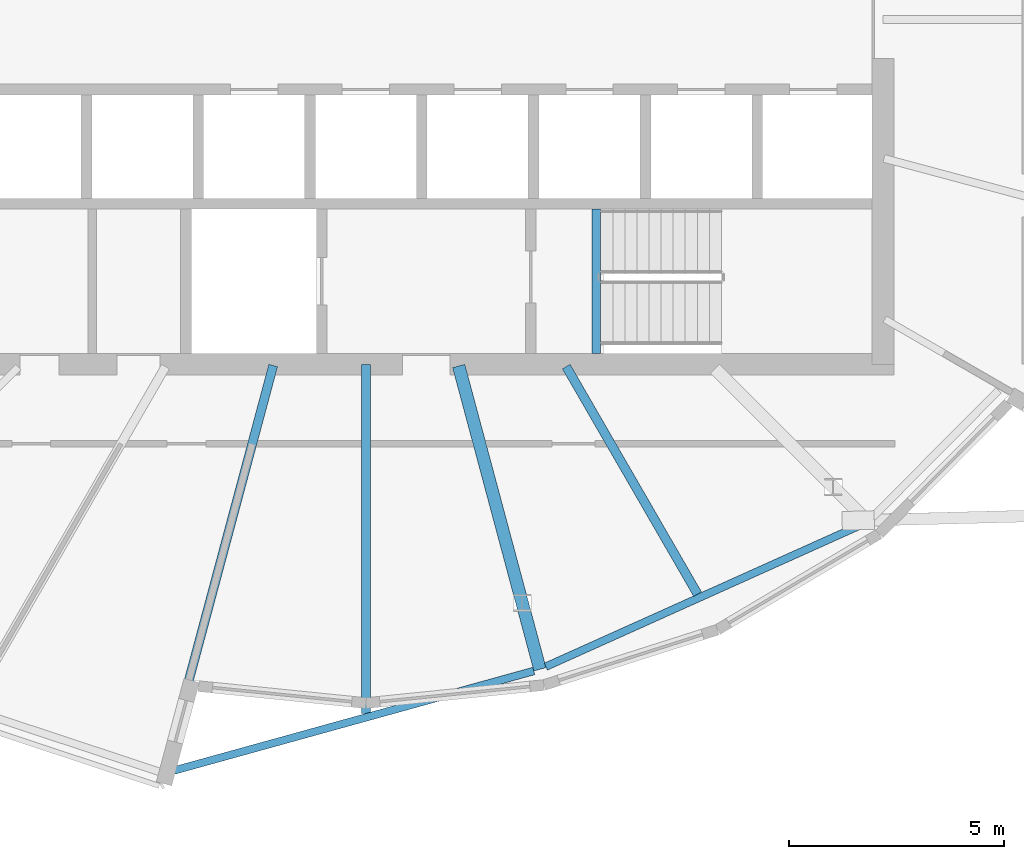
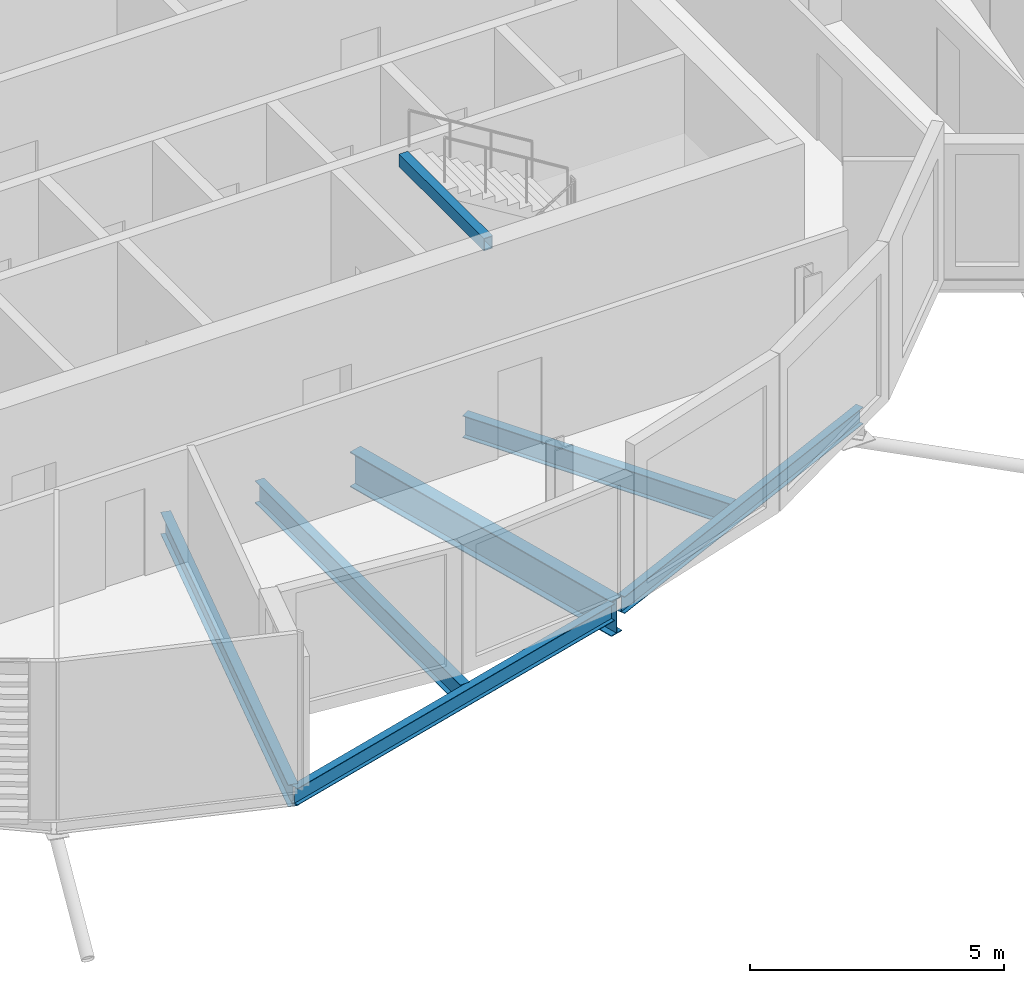
# One storey, part 4 of 33: 7 beams.
"""IFC4 building model written with IfcOpenShell, lengths in metres."""

import ifcopenshell
import ifcopenshell.guid

model = None  # the IFC model being written
_history = None  # IfcOwnerHistory: only IFC2X3 demands one
_inside = {}  # id of a spatial element -> (the spatial element, [elements in it])
_under = {}  # id of a project, library or spatial element -> (it, [spatial elements below it])
_declared = {}  # id of a project -> (the project, [libraries it declares])
_typed = {}  # id of a type object -> (the type object, [elements of that type])
_made_of = {}  # id of a material, layer set ... -> (it, [elements and type objects made of it])


def new_model(schema):
    """Start an empty IFC model of exactly this schema.

    Asked for "IFC4X3", IfcOpenShell would pick the latest addendum, in which some entities
    have other attributes; the version numbers below select the first issue.
    IFC2X3 requires an IfcOwnerHistory on every rooted entity: one is made here for all.
    """
    global model, _history
    if schema == "IFC4X3":
        model = ifcopenshell.file(schema_version=(4, 3, 0, 0))
    else:
        model = ifcopenshell.file(schema=schema)
    _inside.clear()
    _under.clear()
    _declared.clear()
    _typed.clear()
    _made_of.clear()
    _history = None
    if model.schema == "IFC2X3":
        org = make("IfcOrganization", Name="unknown")
        user = make(
            "IfcPersonAndOrganization",
            ThePerson=make("IfcPerson", FamilyName="unknown"),
            TheOrganization=org,
        )
        app = make(
            "IfcApplication",
            ApplicationDeveloper=org,
            Version="unknown",
            ApplicationFullName="unknown",
            ApplicationIdentifier="unknown",
        )
        _history = make(
            "IfcOwnerHistory",
            OwningUser=user,
            OwningApplication=app,
            ChangeAction="ADDED",
            CreationDate=0,
        )
    return model


def make(cls, **values):
    """One entity of the class cls with the attributes given. An attribute that is None is left unset."""
    return model.create_entity(
        cls, **{name: value for name, value in values.items() if value is not None}
    )


def rooted(cls, **values):
    """An entity with a GlobalId (a new one), such as an element, a storey or a relation."""
    return make(cls, GlobalId=ifcopenshell.guid.new(), OwnerHistory=_history, **values)


def si_unit(unit_type, name, prefix=None):
    """IfcSIUnit, for example si_unit("LENGTHUNIT", "METRE", prefix="MILLI")."""
    return make("IfcSIUnit", UnitType=unit_type, Prefix=prefix, Name=name)


def assignment(units):
    """IfcUnitAssignment: the units of a project."""
    return None if units is None else make("IfcUnitAssignment", Units=units)


def point(xyz):
    """IfcCartesianPoint."""
    return None if xyz is None else make("IfcCartesianPoint", Coordinates=xyz)


def direction(xyz):
    """IfcDirection."""
    return None if xyz is None else make("IfcDirection", DirectionRatios=xyz)


def frame(location, z_axis=None, x_axis=None):
    """IfcAxis2Placement3D, a coordinate frame: its origin and axes. An axis left out is left unset."""
    return make(
        "IfcAxis2Placement3D",
        Location=point(location),
        Axis=direction(z_axis),
        RefDirection=direction(x_axis),
    )


def frame_2d(location, x_axis=None):
    """IfcAxis2Placement2D, a coordinate frame in the plane: its origin and x axis."""
    return make(
        "IfcAxis2Placement2D", Location=point(location), RefDirection=direction(x_axis)
    )


def origin():
    """The frame at (0, 0, 0) with its axes left unset."""
    return frame((0.0, 0.0, 0.0))


def origin_2d():
    """The frame at (0, 0) in the plane with its x axis left unset."""
    return frame_2d((0.0, 0.0))


def place(relative_to, where):
    """IfcLocalPlacement: puts the frame where relative to a parent placement (None: the world)."""
    return make(
        "IfcLocalPlacement", PlacementRelTo=relative_to, RelativePlacement=where
    )


def context(
    kind, dimensions, precision=None, world=None, true_north=None, identifier=None
):
    """IfcGeometricRepresentationContext, for example the 3D "Model" context."""
    return make(
        "IfcGeometricRepresentationContext",
        ContextIdentifier=identifier,
        ContextType=kind,
        CoordinateSpaceDimension=dimensions,
        Precision=precision,
        WorldCoordinateSystem=world,
        TrueNorth=true_north,
    )


def subcontext(parent, identifier, kind, view, scale=None):
    """IfcGeometricRepresentationSubContext, for example "Body" below "Model"."""
    return make(
        "IfcGeometricRepresentationSubContext",
        ContextIdentifier=identifier,
        ContextType=kind,
        ParentContext=parent,
        TargetScale=scale,
        TargetView=view,
    )


def project(units=None, contexts=None):
    """IfcProject with its units and contexts."""
    return rooted(
        "IfcProject",
        Name="project",
        RepresentationContexts=contexts,
        UnitsInContext=assignment(units),
    )


def spatial(cls, under=None, at=None, **own):
    """A site, building, storey or space (cls), placed at a placement, below another one or the project."""
    s = rooted(cls, ObjectPlacement=at, **own)
    if under is not None:
        _under.setdefault(under.id(), (under, []))[1].append(s)
    return s


def profile(cls, at=None, kind="AREA", **sizes):
    """A parametric profile (cls). Its sizes go by their IFC names, for example OverallWidth=200.0."""
    return make(cls, ProfileType=kind, Position=at, **sizes)


def hollow_rectangle(**sizes):
    """IfcRectangleHollowProfileDef."""
    return profile("IfcRectangleHollowProfileDef", **sizes)


def i_section(**sizes):
    """IfcIShapeProfileDef."""
    return profile("IfcIShapeProfileDef", **sizes)


def extrude(swept, where, along, depth):
    """IfcExtrudedAreaSolid: the profile swept, set in the frame where, extruded along a direction by depth."""
    return make(
        "IfcExtrudedAreaSolid",
        SweptArea=swept,
        Position=where,
        ExtrudedDirection=direction(along),
        Depth=depth,
    )


def shape(context_of_items, identifier, shape_type, items):
    """IfcShapeRepresentation: the items that make up one representation, for example the "Body"."""
    return make(
        "IfcShapeRepresentation",
        ContextOfItems=context_of_items,
        RepresentationIdentifier=identifier,
        RepresentationType=shape_type,
        Items=items,
    )


def material(Name=None, Category=None):
    """IfcMaterial."""
    return make("IfcMaterial", Name=Name, Category=Category)


def material_profile(
    of_material, cross_section, Name=None, Category=None, Priority=None
):
    """IfcMaterialProfile: a cross section and its material."""
    return make(
        "IfcMaterialProfile",
        Name=Name,
        Material=of_material,
        Profile=cross_section,
        Priority=Priority,
        Category=Category,
    )


def profile_set(profiles, Name=None, composite=None):
    """IfcMaterialProfileSet."""
    return make(
        "IfcMaterialProfileSet",
        Name=Name,
        MaterialProfiles=profiles,
        CompositeProfile=composite,
    )


def made_of(thing, what):
    """Note that an element or type object is made of a material, layer set ...; save() writes the relation."""
    if what is not None:
        _made_of.setdefault(what.id(), (what, []))[1].append(thing)
    return thing


def type_object(cls, material=None, **own):
    """A type object (cls), such as IfcWallType, which elements share."""
    return made_of(rooted(cls, **own), material)


def element(
    cls,
    number,
    at=None,
    inside=None,
    cuts=None,
    type_object=None,
    material=None,
    context=None,
    identifier="Body",
    shape_type=None,
    held_by="IfcProductDefinitionShape",
    body=None,
    shapes=None,
    **own,
):
    """One element of the class cls, such as IfcWall. Its Tag is "e" and its number.

    at: its placement. inside: the storey or other place that contains it. cuts: it is an
    opening in that element (IfcRelVoidsElement). A single representation is given by context,
    identifier, shape_type and body (its items); several are given by shapes. held_by: the class
    of the entity that holds the representations. save() writes the other relations.
    """
    e = rooted(cls, Tag="e%d" % number, ObjectPlacement=at, **own)
    if body is not None:
        shapes = [shape(context, identifier, shape_type, body)]
    if shapes is not None:
        e.Representation = make(held_by, Representations=shapes)
    if inside is not None:
        _inside.setdefault(inside.id(), (inside, []))[1].append(e)
    if cuts is not None:
        rooted(
            "IfcRelVoidsElement", RelatingBuildingElement=cuts, RelatedOpeningElement=e
        )
    if type_object is not None:
        _typed.setdefault(type_object.id(), (type_object, []))[1].append(e)
    return made_of(e, material)


def aggregate(whole, parts):
    """IfcRelAggregates: a whole, such as a stair, and the parts it consists of."""
    return rooted("IfcRelAggregates", RelatingObject=whole, RelatedObjects=parts)


def save(model, path):
    """Write the relations noted so far, then the file.

    IfcRelAggregates (storeys below a building ...), IfcRelContainedInSpatialStructure (elements
    in a storey), IfcRelDefinesByType, IfcRelAssociatesMaterial and IfcRelDeclares: one each for
    every whole, place, type object, material and project.
    """
    for whole, parts in _under.values():
        aggregate(whole, parts)
    for where, things in _inside.values():
        rooted(
            "IfcRelContainedInSpatialStructure",
            RelatedElements=things,
            RelatingStructure=where,
        )
    for kind, things in _typed.values():
        rooted("IfcRelDefinesByType", RelatedObjects=things, RelatingType=kind)
    for what, things in _made_of.values():
        rooted("IfcRelAssociatesMaterial", RelatedObjects=things, RelatingMaterial=what)
    for by, libraries in _declared.values():
        rooted("IfcRelDeclares", RelatingContext=by, RelatedDefinitions=libraries)
    model.write(path)


model = new_model("IFC4")

# Units and contexts
model_context = context("Model", 3, precision=1e-05, world=origin(), true_north=direction((0.0, 1.0)))
body_context = subcontext(model_context, "Body", "Model", "MODEL_VIEW")
ifc_project = project(units=[si_unit("LENGTHUNIT", "METRE"), si_unit("AREAUNIT", "SQUARE_METRE"), si_unit("VOLUMEUNIT", "CUBIC_METRE"), si_unit("PLANEANGLEUNIT", "RADIAN"), si_unit("MASSUNIT", "GRAM", prefix="KILO")], contexts=[model_context])

# Site, building, storey
site_placement = place(None, origin())
site = spatial("IfcSite", under=ifc_project, at=site_placement, CompositionType="ELEMENT")
building_placement = place(site_placement, origin())
building = spatial("IfcBuilding", under=site, at=building_placement, Name="Rimbun Link Towers", CompositionType="ELEMENT")
storey_placement = place(building_placement, frame((0.0, 0.0, 237.10009765625)))
storey = spatial("IfcBuildingStorey", under=building, at=storey_placement, Name="L58", CompositionType="ELEMENT", Elevation=237.10009765625)

# Beams
ifc_material_1 = material(Name="Steel S355J2", Category="steel")
ifc_material_profile_1 = material_profile(ifc_material_1, hollow_rectangle(XDim=0.199951171875, YDim=0.300048828125, WallThickness=0.011962890625, at=origin_2d()), Name="BOX 300x200x12")
ifc_profile_set_1 = profile_set([ifc_material_profile_1], Name="Steel S355J2")
beam_type_1 = type_object("IfcBeamType", Name="Stair trimmer beam BOX 300x200x12", PredefinedType="BEAM", material=ifc_profile_set_1)
beam_1_placement = place(storey_placement, frame((-26.39990234375, -7.75, 3.510009765625), z_axis=(0.0, 1.0, 0.0), x_axis=(-1.0, 0.0, 0.0)))
element("IfcBeam", 1, at=beam_1_placement, inside=storey, type_object=beam_type_1, Name="L58 ST2 stair beam 1", PredefinedType="BEAM", context=body_context, shape_type="SweptSolid", body=[
    extrude(hollow_rectangle(XDim=0.199951171875, YDim=0.300048828125, WallThickness=0.011962890625, at=origin_2d()), origin(), (0.0, 0.0, 1.0), 3.35009765625),
])
ifc_material_2 = material(Name="Steel S355J2", Category="steel")
ifc_material_profile_2 = material_profile(ifc_material_2, i_section(OverallWidth=0.177978515625, OverallDepth=0.406494140625, WebThickness=0.0078125, FlangeThickness=0.0126953125, at=origin_2d()), Name="UB 406x178x60")
ifc_profile_set_2 = profile_set([ifc_material_profile_2], Name="Steel S355J2")
beam_type_2 = type_object("IfcBeamType", Name="UB 406x178x60", PredefinedType="BEAM", material=ifc_profile_set_2)
beam_2_placement = place(storey_placement, frame((-36.43603515625, -17.491455078125, -0.34326171875), z_axis=(0.96378369226, 0.26668519744, 0.0), x_axis=(-0.26668519744, 0.96378369226, 0.0)))
element("IfcBeam", 2, at=beam_2_placement, inside=storey, type_object=beam_type_2, Name="Edge beam T1 L58 17-19", PredefinedType="BEAM", context=body_context, shape_type="SweptSolid", body=[
    extrude(i_section(OverallWidth=0.177978515625, OverallDepth=0.406494140625, WebThickness=0.0078125, FlangeThickness=0.0126953125, at=origin_2d()), origin(), (0.0, 0.0, 1.0), 8.906494140625),
])
beam_3_placement = place(storey_placement, frame((-27.57421875, -15.015625, -0.34326171875), z_axis=(0.912035086106, 0.410112181862, 0.0), x_axis=(-0.410112181862, 0.912035086106, 0.0)))
element("IfcBeam", 3, at=beam_3_placement, inside=storey, type_object=beam_type_2, Name="Edge beam T1 L58 19-21", PredefinedType="BEAM", context=body_context, shape_type="SweptSolid", body=[
    extrude(i_section(OverallWidth=0.177978515625, OverallDepth=0.406494140625, WebThickness=0.0078125, FlangeThickness=0.0126953125, at=origin_2d()), origin(), (0.0, 0.0, 1.0), 8.041259765625),
])
ifc_material_3 = material(Name="Steel S355J2", Category="steel")
ifc_material_profile_3 = material_profile(ifc_material_3, i_section(OverallWidth=0.209228515625, OverallDepth=0.533203125, WebThickness=0.010009765625, FlangeThickness=0.015625, at=origin_2d()), Name="UB 533x210x92")
ifc_profile_set_3 = profile_set([ifc_material_profile_3], Name="Steel S355J2")
beam_type_3 = type_object("IfcBeamType", Name="UB 533x210x92", PredefinedType="BEAM", material=ifc_profile_set_3)
beam_4_placement = place(storey_placement, frame((-33.901123046875, -8.028076171875, -0.406494140625), z_axis=(-0.258816120567, -0.965926609911, 0.0), x_axis=(0.965926609911, -0.258816120567, 0.0)))
element("IfcBeam", 4, at=beam_4_placement, inside=storey, type_object=beam_type_3, Name="Radial beam T1 L58 17", PredefinedType="BEAM", context=body_context, shape_type="SweptSolid", body=[
    extrude(i_section(OverallWidth=0.209228515625, OverallDepth=0.533203125, WebThickness=0.010009765625, FlangeThickness=0.015625, at=origin_2d()), origin(), (0.0, 0.0, 1.0), 9.70751953125),
])
beam_5_placement = place(storey_placement, frame((-31.75, -8.0009765625, -0.406494140625), z_axis=(0.0, -1.0, 0.0), x_axis=(1.0, 0.0, 0.0)))
element("IfcBeam", 5, at=beam_5_placement, inside=storey, type_object=beam_type_3, Name="Radial beam T1 L58 18", PredefinedType="BEAM", context=body_context, shape_type="SweptSolid", body=[
    extrude(i_section(OverallWidth=0.209228515625, OverallDepth=0.533203125, WebThickness=0.010009765625, FlangeThickness=0.015625, at=origin_2d()), origin(), (0.0, 0.0, 1.0), 8.1005859375),
])
beam_6_placement = place(storey_placement, frame((-27.1005859375, -8.05322265625, -0.406494140625), z_axis=(0.500019392642, -0.866014207148, 0.0), x_axis=(0.866014207148, 0.500019392642, 0.0)))
element("IfcBeam", 6, at=beam_6_placement, inside=storey, type_object=beam_type_3, Name="Radial beam T1 L58 20", PredefinedType="BEAM", context=body_context, shape_type="SweptSolid", body=[
    extrude(i_section(OverallWidth=0.209228515625, OverallDepth=0.533203125, WebThickness=0.010009765625, FlangeThickness=0.015625, at=origin_2d()), origin(), (0.0, 0.0, 1.0), 6.096923828125),
])
ifc_material_4 = material(Name="Steel S355J2", Category="steel")
ifc_material_profile_4 = material_profile(ifc_material_4, i_section(OverallWidth=0.29248046875, OverallDepth=0.8408203125, WebThickness=0.0126953125, FlangeThickness=0.021728515625, at=origin_2d()), Name="UB 838x292x194")
ifc_profile_set_4 = profile_set([ifc_material_profile_4], Name="Steel S355J2")
beam_type_4 = type_object("IfcBeamType", Name="UB 838x292x194", PredefinedType="BEAM", material=ifc_profile_set_4)
beam_7_placement = place(storey_placement, frame((-29.595947265625, -8.038818359375, -0.560546875), z_axis=(0.258805311019, -0.965929506221, 0.0), x_axis=(0.965929506221, 0.258805311019, 0.0)))
element("IfcBeam", 7, at=beam_7_placement, inside=storey, type_object=beam_type_4, Name="Radial beam T1 L58 19", PredefinedType="BEAM", context=body_context, shape_type="SweptSolid", body=[
    extrude(i_section(OverallWidth=0.29248046875, OverallDepth=0.8408203125, WebThickness=0.0126953125, FlangeThickness=0.021728515625, at=origin_2d()), origin(), (0.0, 0.0, 1.0), 7.286376953125),
])

save(model, "model.ifc")
